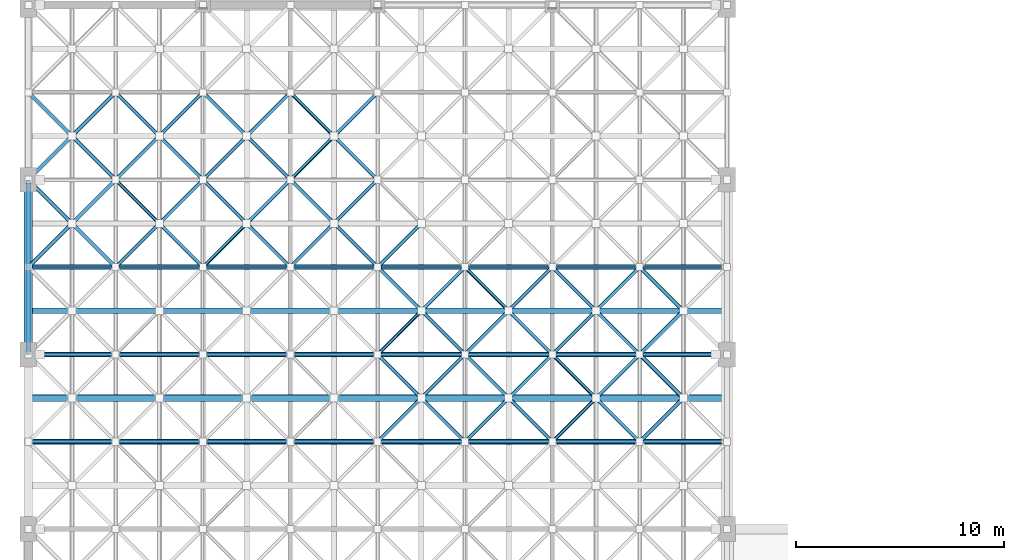
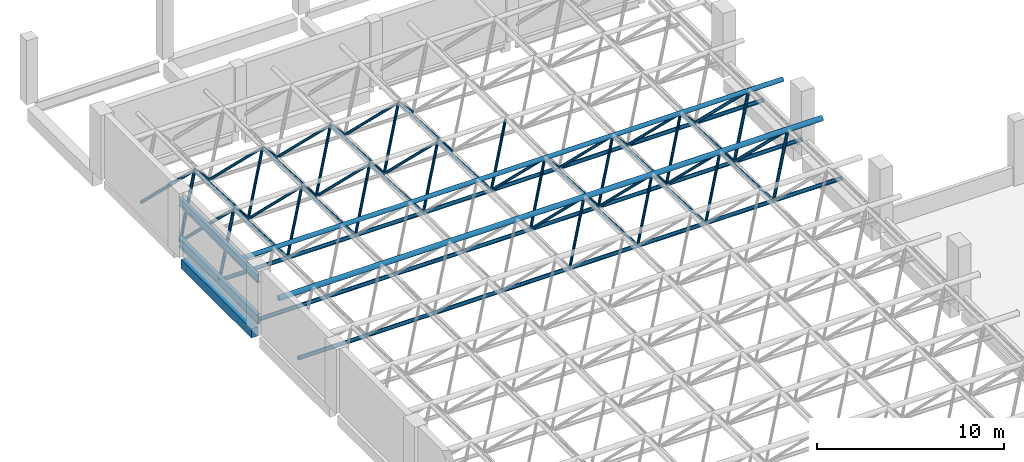
# One storey, part 29 of 64: 66 members, 3 beams.
"""IFC4 building model written with IfcOpenShell, lengths in metres."""

from ifc_helpers import new_model, si_unit, derived_unit, direction, frame, origin, origin_2d, place, context, subcontext, project, spatial, rectangle, hollow_circle, i_section, extrude, material, material_profile, profile_set, type_object, element, save


model = new_model("IFC4")

# Units and contexts
model_context = context("Model", 3, precision=1e-05, world=origin(), true_north=direction((0.0, 1.0)))
body_context = subcontext(model_context, "Body", "Model", "MODEL_VIEW")
ifc_project = project(units=[si_unit("LENGTHUNIT", "METRE"), si_unit("AREAUNIT", "SQUARE_METRE"), si_unit("VOLUMEUNIT", "CUBIC_METRE"), si_unit("PLANEANGLEUNIT", "RADIAN"), si_unit("MASSUNIT", "GRAM", prefix="KILO"), derived_unit("THERMALTRANSMITTANCEUNIT", [(si_unit("POWERUNIT", "WATT"), 1), (si_unit("LENGTHUNIT", "METRE"), -2), (si_unit("THERMODYNAMICTEMPERATUREUNIT", "KELVIN"), -1)])], contexts=[model_context])

# Site, building, storey
site_placement = place(None, origin())
site = spatial("IfcSite", under=ifc_project, at=site_placement, CompositionType="ELEMENT")
building_placement = place(site_placement, origin())
building = spatial("IfcBuilding", under=site, at=building_placement, Name="Barrovel Congress Hotel", CompositionType="ELEMENT")
storey_placement = place(building_placement, frame((0.0, 0.0, 14.10009765625)))
storey = spatial("IfcBuildingStorey", under=building, at=storey_placement, Name="L03", CompositionType="ELEMENT", Elevation=14.10009765625)

# Beam
ifc_material_1 = material(Name="Concrete C40", Category="concrete")
ifc_material_profile_1 = material_profile(ifc_material_1, rectangle(XDim=0.39990234375, YDim=0.60009765625, at=origin_2d()), Name="RC400x600")
ifc_profile_set_1 = profile_set([ifc_material_profile_1], Name="Concrete C40")
beam_type_1 = type_object("IfcBeamType", Name="BM-RC400x600", PredefinedType="BEAM", material=ifc_profile_set_1)
beam_1_placement = place(storey_placement, frame((0.0, 88.64990234375, -0.5400390625), z_axis=(0.0, 1.0, 0.0), x_axis=(-1.0, 0.0, 0.0)))
element("IfcBeam", 1, at=beam_1_placement, inside=storey, type_object=beam_type_1, Name="BMY:L03:0.0:88.2-96.6", PredefinedType="BEAM", context=body_context, shape_type="SweptSolid", body=[
    extrude(rectangle(XDim=0.39990234375, YDim=0.60009765625, at=origin_2d()), origin(), (0.0, 0.0, 1.0), 7.5),
])

# Members
ifc_material_2 = material(Name="Steel ASTM A500 Grade C", Category="steel")
ifc_material_profile_2 = material_profile(ifc_material_2, hollow_circle(Radius=0.084228515625, WallThickness=0.006591796875, at=origin_2d()), Name="CHS168.3x7.1")
ifc_profile_set_2 = profile_set([ifc_material_profile_2], Name="Steel ASTM A500 Grade C")
member_type_1 = type_object("IfcMemberType", Name="MEM-CHS168.3x7.1", PredefinedType="BRACE", material=ifc_profile_set_2)
for number, where, z_axis, x_axis, name in (
    (2, (4.199951171875, 96.60009765625, 0.599853515625), (0.527618240532, 0.527556903839, 0.665809811786), (-0.707065676302, 0.707147883682, 0.0), "Space Frame Roof Truss Diagonal 1-14-1"),
    (3, (8.39990234375, 96.60009765625, 0.599853515625), (-0.527573976661, 0.527573976661, 0.665831358755), (-0.707106781187, -0.707106781187, 0.0), "Space Frame Roof Truss Diagonal 1-14-2"),
):
    element("IfcMember", number, at=place(storey_placement, frame(where, z_axis=z_axis, x_axis=x_axis)), inside=storey, type_object=member_type_1, Name=name, PredefinedType="BRACE", context=body_context, shape_type="SweptSolid", body=[
        extrude(hollow_circle(Radius=0.084228515625, WallThickness=0.006591796875, at=origin_2d()), origin(), (0.0, 0.0, 1.0), 3.980224609375),
    ])
member_1_placement = place(storey_placement, frame((4.199951171875, 100.800048828125, 0.599853515625), z_axis=(0.527601167383, -0.527601167383, 0.665788266908), x_axis=(0.707106781187, 0.707106781187, 0.0)))
element("IfcMember", 4, at=member_1_placement, inside=storey, type_object=member_type_1, Name="Space Frame Roof Truss Diagonal 1-14-3", PredefinedType="BRACE", context=body_context, shape_type="SweptSolid", body=[
    extrude(hollow_circle(Radius=0.084228515625, WallThickness=0.006591796875, at=origin_2d()), origin(), (0.0, 0.0, 1.0), 3.98046875),
])
member_2_placement = place(storey_placement, frame((8.39990234375, 100.800048828125, 0.599853515625), z_axis=(-0.527556903839, -0.527618240532, 0.665809811786), x_axis=(0.707147883682, -0.707065676302, 0.0)))
element("IfcMember", 5, at=member_2_placement, inside=storey, type_object=member_type_1, Name="Space Frame Roof Truss Diagonal 1-14-4", PredefinedType="BRACE", context=body_context, shape_type="SweptSolid", body=[
    extrude(hollow_circle(Radius=0.084228515625, WallThickness=0.006591796875, at=origin_2d()), origin(), (0.0, 0.0, 1.0), 3.980224609375),
])
for number, where, z_axis, x_axis, name in (
    (6, (8.39990234375, 92.39990234375, 0.599853515625), (0.527601167383, 0.527601167383, 0.665788266908), (-0.707106781187, 0.707106781187, 0.0), "Space Frame Roof Truss Diagonal 2-13-1"),
    (7, (12.60009765625, 92.39990234375, 0.599853515625), (-0.527601167383, 0.527601167383, 0.665788266908), (-0.707106781187, -0.707106781187, 0.0), "Space Frame Roof Truss Diagonal 2-13-2"),
    (8, (8.39990234375, 96.60009765625, 0.599853515625), (0.527601167383, -0.527601167383, 0.665788266908), (0.707106781187, 0.707106781187, 0.0), "Space Frame Roof Truss Diagonal 2-13-3"),
    (9, (12.60009765625, 96.60009765625, 0.599853515625), (-0.527601167383, -0.527601167383, 0.665788266908), (0.707106781187, -0.707106781187, 0.0), "Space Frame Roof Truss Diagonal 2-13-4"),
):
    element("IfcMember", number, at=place(storey_placement, frame(where, z_axis=z_axis, x_axis=x_axis)), inside=storey, type_object=member_type_1, Name=name, PredefinedType="BRACE", context=body_context, shape_type="SweptSolid", body=[
        extrude(hollow_circle(Radius=0.084228515625, WallThickness=0.006591796875, at=origin_2d()), origin(), (0.0, 0.0, 1.0), 3.98046875),
    ])
for number, where, z_axis, x_axis, name in (
    (10, (12.60009765625, 96.60009765625, 0.599853515625), (0.527573976661, 0.527573976661, 0.665831358755), (-0.707106781187, 0.707106781187, 0.0), "Space Frame Roof Truss Diagonal 3-14-1"),
    (11, (16.800048828125, 96.60009765625, 0.599853515625), (-0.527618240532, 0.527556903839, 0.665809811786), (-0.707065676302, -0.707147883682, 0.0), "Space Frame Roof Truss Diagonal 3-14-2"),
    (12, (12.60009765625, 100.800048828125, 0.599853515625), (0.527556903839, -0.527618240532, 0.665809811786), (0.707147883682, 0.707065676302, 0.0), "Space Frame Roof Truss Diagonal 3-14-3"),
):
    element("IfcMember", number, at=place(storey_placement, frame(where, z_axis=z_axis, x_axis=x_axis)), inside=storey, type_object=member_type_1, Name=name, PredefinedType="BRACE", context=body_context, shape_type="SweptSolid", body=[
        extrude(hollow_circle(Radius=0.084228515625, WallThickness=0.006591796875, at=origin_2d()), origin(), (0.0, 0.0, 1.0), 3.980224609375),
    ])
member_3_placement = place(storey_placement, frame((16.800048828125, 100.800048828125, 0.599853515625), z_axis=(-0.527601167383, -0.527601167383, 0.665788266908), x_axis=(0.707106781187, -0.707106781187, 0.0)))
element("IfcMember", 13, at=member_3_placement, inside=storey, type_object=member_type_1, Name="Space Frame Roof Truss Diagonal 3-14-4", PredefinedType="BRACE", context=body_context, shape_type="SweptSolid", body=[
    extrude(hollow_circle(Radius=0.084228515625, WallThickness=0.006591796875, at=origin_2d()), origin(), (0.0, 0.0, 1.0), 3.98046875),
])
member_4_placement = place(storey_placement, frame((16.800048828125, 84.0, 0.599853515625), z_axis=(0.527556903839, 0.527618240532, 0.665809811786), x_axis=(-0.707147883682, 0.707065676302, 0.0)))
element("IfcMember", 14, at=member_4_placement, inside=storey, type_object=member_type_1, Name="Space Frame Roof Truss Diagonal 4-11-1", PredefinedType="BRACE", context=body_context, shape_type="SweptSolid", body=[
    extrude(hollow_circle(Radius=0.084228515625, WallThickness=0.006591796875, at=origin_2d()), origin(), (0.0, 0.0, 1.0), 3.980224609375),
])
member_5_placement = place(storey_placement, frame((21.0, 84.0, 0.599853515625), z_axis=(-0.527601167383, 0.527601167383, 0.665788266908), x_axis=(-0.707106781187, -0.707106781187, 0.0)))
element("IfcMember", 15, at=member_5_placement, inside=storey, type_object=member_type_1, Name="Space Frame Roof Truss Diagonal 4-11-2", PredefinedType="BRACE", context=body_context, shape_type="SweptSolid", body=[
    extrude(hollow_circle(Radius=0.084228515625, WallThickness=0.006591796875, at=origin_2d()), origin(), (0.0, 0.0, 1.0), 3.98046875),
])
for number, where, z_axis, x_axis, name in (
    (16, (16.800048828125, 88.199951171875, 0.599853515625), (0.527573976661, -0.527573976661, 0.665831358755), (0.707106781187, 0.707106781187, 0.0), "Space Frame Roof Truss Diagonal 4-11-3"),
    (17, (21.0, 88.199951171875, 0.599853515625), (-0.527618240532, -0.527556903839, 0.665809811786), (0.707065676302, -0.707147883682, 0.0), "Space Frame Roof Truss Diagonal 4-11-4"),
    (18, (16.800048828125, 92.39990234375, 0.599853515625), (0.527556903839, 0.527618240532, 0.665809811786), (-0.707147883682, 0.707065676302, 0.0), "Space Frame Roof Truss Diagonal 4-13-1"),
):
    element("IfcMember", number, at=place(storey_placement, frame(where, z_axis=z_axis, x_axis=x_axis)), inside=storey, type_object=member_type_1, Name=name, PredefinedType="BRACE", context=body_context, shape_type="SweptSolid", body=[
        extrude(hollow_circle(Radius=0.084228515625, WallThickness=0.006591796875, at=origin_2d()), origin(), (0.0, 0.0, 1.0), 3.980224609375),
    ])
member_6_placement = place(storey_placement, frame((21.0, 88.199951171875, 0.599853515625), z_axis=(0.527601167383, 0.527601167383, 0.665788266908), x_axis=(-0.707106781187, 0.707106781187, 0.0)))
element("IfcMember", 19, at=member_6_placement, inside=storey, type_object=member_type_1, Name="Space Frame Roof Truss Diagonal 5-12-1", PredefinedType="BRACE", context=body_context, shape_type="SweptSolid", body=[
    extrude(hollow_circle(Radius=0.084228515625, WallThickness=0.006591796875, at=origin_2d()), origin(), (0.0, 0.0, 1.0), 3.98046875),
])
for number, where, z_axis, x_axis, name in (
    (20, (25.199951171875, 88.199951171875, 0.599853515625), (-0.527556903839, 0.527618240532, 0.665809811786), (-0.707147883682, -0.707065676302, 0.0), "Space Frame Roof Truss Diagonal 5-12-2"),
    (21, (21.0, 92.39990234375, 0.599853515625), (0.527618240532, -0.527556903839, 0.665809811786), (0.707065676302, 0.707147883682, 0.0), "Space Frame Roof Truss Diagonal 5-12-3"),
    (22, (25.199951171875, 92.39990234375, 0.599853515625), (-0.527573976661, -0.527573976661, 0.665831358755), (0.707106781187, -0.707106781187, 0.0), "Space Frame Roof Truss Diagonal 5-12-4"),
):
    element("IfcMember", number, at=place(storey_placement, frame(where, z_axis=z_axis, x_axis=x_axis)), inside=storey, type_object=member_type_1, Name=name, PredefinedType="BRACE", context=body_context, shape_type="SweptSolid", body=[
        extrude(hollow_circle(Radius=0.084228515625, WallThickness=0.006591796875, at=origin_2d()), origin(), (0.0, 0.0, 1.0), 3.980224609375),
    ])
member_7_placement = place(storey_placement, frame((25.199951171875, 84.0, 0.599853515625), z_axis=(0.527601167383, 0.527601167383, 0.665788266908), x_axis=(-0.707106781187, 0.707106781187, 0.0)))
element("IfcMember", 23, at=member_7_placement, inside=storey, type_object=member_type_1, Name="Space Frame Roof Truss Diagonal 6-11-1", PredefinedType="BRACE", context=body_context, shape_type="SweptSolid", body=[
    extrude(hollow_circle(Radius=0.084228515625, WallThickness=0.006591796875, at=origin_2d()), origin(), (0.0, 0.0, 1.0), 3.98046875),
])
for number, where, z_axis, x_axis, name in (
    (24, (29.39990234375, 84.0, 0.599853515625), (-0.527556903839, 0.527618240532, 0.665809811786), (-0.707147883682, -0.707065676302, 0.0), "Space Frame Roof Truss Diagonal 6-11-2"),
    (25, (25.199951171875, 88.199951171875, 0.599853515625), (0.527618240532, -0.527556903839, 0.665809811786), (0.707065676302, 0.707147883682, 0.0), "Space Frame Roof Truss Diagonal 6-11-3"),
    (26, (29.39990234375, 88.199951171875, 0.599853515625), (-0.527573976661, -0.527573976661, 0.665831358755), (0.707106781187, -0.707106781187, 0.0), "Space Frame Roof Truss Diagonal 6-11-4"),
):
    element("IfcMember", number, at=place(storey_placement, frame(where, z_axis=z_axis, x_axis=x_axis)), inside=storey, type_object=member_type_1, Name=name, PredefinedType="BRACE", context=body_context, shape_type="SweptSolid", body=[
        extrude(hollow_circle(Radius=0.084228515625, WallThickness=0.006591796875, at=origin_2d()), origin(), (0.0, 0.0, 1.0), 3.980224609375),
    ])
ifc_material_profile_3 = material_profile(ifc_material_2, hollow_circle(Radius=0.084228515625, WallThickness=0.0087890625, at=origin_2d()), Name="CHS168.3x9.5")
ifc_profile_set_3 = profile_set([ifc_material_profile_3], Name="Steel ASTM A500 Grade C")
member_type_2 = type_object("IfcMemberType", Name="MEM-CHS168.3x9.5", PredefinedType="BRACE", material=ifc_profile_set_3)
member_8_placement = place(storey_placement, frame((4.199951171875, 92.39990234375, 0.599853515625), z_axis=(0.527601167383, 0.527601167383, 0.665788266908), x_axis=(-0.707106781187, 0.707106781187, 0.0)))
element("IfcMember", 27, at=member_8_placement, inside=storey, type_object=member_type_2, Name="Space Frame Roof Truss Diagonal 1-13-1", PredefinedType="BRACE", context=body_context, shape_type="SweptSolid", body=[
    extrude(hollow_circle(Radius=0.084228515625, WallThickness=0.0087890625, at=origin_2d()), origin(), (0.0, 0.0, 1.0), 3.98046875),
])
member_9_placement = place(storey_placement, frame((8.39990234375, 92.39990234375, 0.599853515625), z_axis=(-0.527556903839, 0.527618240532, 0.665809811786), x_axis=(-0.707147883682, -0.707065676302, 0.0)))
element("IfcMember", 28, at=member_9_placement, inside=storey, type_object=member_type_2, Name="Space Frame Roof Truss Diagonal 1-13-2", PredefinedType="BRACE", context=body_context, shape_type="SweptSolid", body=[
    extrude(hollow_circle(Radius=0.084228515625, WallThickness=0.0087890625, at=origin_2d()), origin(), (0.0, 0.0, 1.0), 3.980224609375),
])
member_10_placement = place(storey_placement, frame((4.199951171875, 96.60009765625, 0.599853515625), z_axis=(0.527601167383, -0.527601167383, 0.665788266908), x_axis=(0.707106781187, 0.707106781187, 0.0)))
element("IfcMember", 29, at=member_10_placement, inside=storey, type_object=member_type_2, Name="Space Frame Roof Truss Diagonal 1-13-3", PredefinedType="BRACE", context=body_context, shape_type="SweptSolid", body=[
    extrude(hollow_circle(Radius=0.084228515625, WallThickness=0.0087890625, at=origin_2d()), origin(), (0.0, 0.0, 1.0), 3.98046875),
])
for number, where, z_axis, x_axis, name in (
    (30, (8.39990234375, 96.60009765625, 0.599853515625), (-0.527556903839, -0.527618240532, 0.665809811786), (0.707147883682, -0.707065676302, 0.0), "Space Frame Roof Truss Diagonal 1-13-4"),
    (31, (8.39990234375, 96.60009765625, 0.599853515625), (0.527618240532, 0.527556903839, 0.665809811786), (-0.707065676302, 0.707147883682, 0.0), "Space Frame Roof Truss Diagonal 2-14-1"),
    (32, (12.60009765625, 96.60009765625, 0.599853515625), (-0.527618240532, 0.527556903839, 0.665809811786), (-0.707065676302, -0.707147883682, 0.0), "Space Frame Roof Truss Diagonal 2-14-2"),
):
    element("IfcMember", number, at=place(storey_placement, frame(where, z_axis=z_axis, x_axis=x_axis)), inside=storey, type_object=member_type_2, Name=name, PredefinedType="BRACE", context=body_context, shape_type="SweptSolid", body=[
        extrude(hollow_circle(Radius=0.084228515625, WallThickness=0.0087890625, at=origin_2d()), origin(), (0.0, 0.0, 1.0), 3.980224609375),
    ])
for number, where, z_axis, x_axis, name in (
    (33, (8.39990234375, 100.800048828125, 0.599853515625), (0.527601167383, -0.527601167383, 0.665788266908), (0.707106781187, 0.707106781187, 0.0), "Space Frame Roof Truss Diagonal 2-14-3"),
    (34, (12.60009765625, 100.800048828125, 0.599853515625), (-0.527601167383, -0.527601167383, 0.665788266908), (0.707106781187, -0.707106781187, 0.0), "Space Frame Roof Truss Diagonal 2-14-4"),
):
    element("IfcMember", number, at=place(storey_placement, frame(where, z_axis=z_axis, x_axis=x_axis)), inside=storey, type_object=member_type_2, Name=name, PredefinedType="BRACE", context=body_context, shape_type="SweptSolid", body=[
        extrude(hollow_circle(Radius=0.084228515625, WallThickness=0.0087890625, at=origin_2d()), origin(), (0.0, 0.0, 1.0), 3.98046875),
    ])
member_11_placement = place(storey_placement, frame((12.60009765625, 92.39990234375, 0.599853515625), z_axis=(0.527556903839, 0.527618240532, 0.665809811786), x_axis=(-0.707147883682, 0.707065676302, 0.0)))
element("IfcMember", 35, at=member_11_placement, inside=storey, type_object=member_type_2, Name="Space Frame Roof Truss Diagonal 3-13-1", PredefinedType="BRACE", context=body_context, shape_type="SweptSolid", body=[
    extrude(hollow_circle(Radius=0.084228515625, WallThickness=0.0087890625, at=origin_2d()), origin(), (0.0, 0.0, 1.0), 3.980224609375),
])
member_12_placement = place(storey_placement, frame((16.800048828125, 92.39990234375, 0.599853515625), z_axis=(-0.527601167383, 0.527601167383, 0.665788266908), x_axis=(-0.707106781187, -0.707106781187, 0.0)))
element("IfcMember", 36, at=member_12_placement, inside=storey, type_object=member_type_2, Name="Space Frame Roof Truss Diagonal 3-13-2", PredefinedType="BRACE", context=body_context, shape_type="SweptSolid", body=[
    extrude(hollow_circle(Radius=0.084228515625, WallThickness=0.0087890625, at=origin_2d()), origin(), (0.0, 0.0, 1.0), 3.98046875),
])
member_13_placement = place(storey_placement, frame((12.60009765625, 96.60009765625, 0.599853515625), z_axis=(0.527556903839, -0.527618240532, 0.665809811786), x_axis=(0.707147883682, 0.707065676302, 0.0)))
element("IfcMember", 37, at=member_13_placement, inside=storey, type_object=member_type_2, Name="Space Frame Roof Truss Diagonal 3-13-3", PredefinedType="BRACE", context=body_context, shape_type="SweptSolid", body=[
    extrude(hollow_circle(Radius=0.084228515625, WallThickness=0.0087890625, at=origin_2d()), origin(), (0.0, 0.0, 1.0), 3.980224609375),
])
member_14_placement = place(storey_placement, frame((16.800048828125, 96.60009765625, 0.599853515625), z_axis=(-0.527601167383, -0.527601167383, 0.665788266908), x_axis=(0.707106781187, -0.707106781187, 0.0)))
element("IfcMember", 38, at=member_14_placement, inside=storey, type_object=member_type_2, Name="Space Frame Roof Truss Diagonal 3-13-4", PredefinedType="BRACE", context=body_context, shape_type="SweptSolid", body=[
    extrude(hollow_circle(Radius=0.084228515625, WallThickness=0.0087890625, at=origin_2d()), origin(), (0.0, 0.0, 1.0), 3.98046875),
])
member_15_placement = place(storey_placement, frame((16.800048828125, 88.199951171875, 0.599853515625), z_axis=(0.527556903839, 0.527618240532, 0.665809811786), x_axis=(-0.707147883682, 0.707065676302, 0.0)))
element("IfcMember", 39, at=member_15_placement, inside=storey, type_object=member_type_2, Name="Space Frame Roof Truss Diagonal 4-12-1", PredefinedType="BRACE", context=body_context, shape_type="SweptSolid", body=[
    extrude(hollow_circle(Radius=0.084228515625, WallThickness=0.0087890625, at=origin_2d()), origin(), (0.0, 0.0, 1.0), 3.980224609375),
])
member_16_placement = place(storey_placement, frame((21.0, 88.199951171875, 0.599853515625), z_axis=(-0.527601167383, 0.527601167383, 0.665788266908), x_axis=(-0.707106781187, -0.707106781187, 0.0)))
element("IfcMember", 40, at=member_16_placement, inside=storey, type_object=member_type_2, Name="Space Frame Roof Truss Diagonal 4-12-2", PredefinedType="BRACE", context=body_context, shape_type="SweptSolid", body=[
    extrude(hollow_circle(Radius=0.084228515625, WallThickness=0.0087890625, at=origin_2d()), origin(), (0.0, 0.0, 1.0), 3.98046875),
])
for number, where, z_axis, x_axis, name in (
    (41, (16.800048828125, 92.39990234375, 0.599853515625), (0.527573976661, -0.527573976661, 0.665831358755), (0.707106781187, 0.707106781187, 0.0), "Space Frame Roof Truss Diagonal 4-12-3"),
    (42, (21.0, 92.39990234375, 0.599853515625), (-0.527618240532, -0.527556903839, 0.665809811786), (0.707065676302, -0.707147883682, 0.0), "Space Frame Roof Truss Diagonal 4-12-4"),
):
    element("IfcMember", number, at=place(storey_placement, frame(where, z_axis=z_axis, x_axis=x_axis)), inside=storey, type_object=member_type_2, Name=name, PredefinedType="BRACE", context=body_context, shape_type="SweptSolid", body=[
        extrude(hollow_circle(Radius=0.084228515625, WallThickness=0.0087890625, at=origin_2d()), origin(), (0.0, 0.0, 1.0), 3.980224609375),
    ])
member_17_placement = place(storey_placement, frame((21.0, 84.0, 0.599853515625), z_axis=(0.527601167383, 0.527601167383, 0.665788266908), x_axis=(-0.707106781187, 0.707106781187, 0.0)))
element("IfcMember", 43, at=member_17_placement, inside=storey, type_object=member_type_2, Name="Space Frame Roof Truss Diagonal 5-11-1", PredefinedType="BRACE", context=body_context, shape_type="SweptSolid", body=[
    extrude(hollow_circle(Radius=0.084228515625, WallThickness=0.0087890625, at=origin_2d()), origin(), (0.0, 0.0, 1.0), 3.98046875),
])
for number, where, z_axis, x_axis, name in (
    (44, (25.199951171875, 84.0, 0.599853515625), (-0.527556903839, 0.527618240532, 0.665809811786), (-0.707147883682, -0.707065676302, 0.0), "Space Frame Roof Truss Diagonal 5-11-2"),
    (45, (21.0, 88.199951171875, 0.599853515625), (0.527618240532, -0.527556903839, 0.665809811786), (0.707065676302, 0.707147883682, 0.0), "Space Frame Roof Truss Diagonal 5-11-3"),
    (46, (25.199951171875, 88.199951171875, 0.599853515625), (-0.527573976661, -0.527573976661, 0.665831358755), (0.707106781187, -0.707106781187, 0.0), "Space Frame Roof Truss Diagonal 5-11-4"),
):
    element("IfcMember", number, at=place(storey_placement, frame(where, z_axis=z_axis, x_axis=x_axis)), inside=storey, type_object=member_type_2, Name=name, PredefinedType="BRACE", context=body_context, shape_type="SweptSolid", body=[
        extrude(hollow_circle(Radius=0.084228515625, WallThickness=0.0087890625, at=origin_2d()), origin(), (0.0, 0.0, 1.0), 3.980224609375),
    ])
member_18_placement = place(storey_placement, frame((25.199951171875, 88.199951171875, 0.599853515625), z_axis=(0.527601167383, 0.527601167383, 0.665788266908), x_axis=(-0.707106781187, 0.707106781187, 0.0)))
element("IfcMember", 47, at=member_18_placement, inside=storey, type_object=member_type_2, Name="Space Frame Roof Truss Diagonal 6-12-1", PredefinedType="BRACE", context=body_context, shape_type="SweptSolid", body=[
    extrude(hollow_circle(Radius=0.084228515625, WallThickness=0.0087890625, at=origin_2d()), origin(), (0.0, 0.0, 1.0), 3.98046875),
])
for number, where, z_axis, x_axis, name in (
    (48, (29.39990234375, 88.199951171875, 0.599853515625), (-0.527556903839, 0.527618240532, 0.665809811786), (-0.707147883682, -0.707065676302, 0.0), "Space Frame Roof Truss Diagonal 6-12-2"),
    (49, (25.199951171875, 92.39990234375, 0.599853515625), (0.527618240532, -0.527556903839, 0.665809811786), (0.707065676302, 0.707147883682, 0.0), "Space Frame Roof Truss Diagonal 6-12-3"),
    (50, (29.39990234375, 92.39990234375, 0.599853515625), (-0.527573976661, -0.527573976661, 0.665831358755), (0.707106781187, -0.707106781187, 0.0), "Space Frame Roof Truss Diagonal 6-12-4"),
):
    element("IfcMember", number, at=place(storey_placement, frame(where, z_axis=z_axis, x_axis=x_axis)), inside=storey, type_object=member_type_2, Name=name, PredefinedType="BRACE", context=body_context, shape_type="SweptSolid", body=[
        extrude(hollow_circle(Radius=0.084228515625, WallThickness=0.0087890625, at=origin_2d()), origin(), (0.0, 0.0, 1.0), 3.980224609375),
    ])
ifc_material_profile_4 = material_profile(ifc_material_2, hollow_circle(Radius=0.096923828125, WallThickness=0.0087890625, at=origin_2d()), Name="CHS193.7x9.5")
ifc_profile_set_4 = profile_set([ifc_material_profile_4], Name="Steel ASTM A500 Grade C")
member_type_3 = type_object("IfcMemberType", Name="MEM-CHS193.7x9.5", PredefinedType="BRACE", material=ifc_profile_set_4)
member_19_placement = place(storey_placement, frame((0.0, 92.39990234375, 0.599853515625), z_axis=(0.527601167383, 0.527601167383, 0.665788266908), x_axis=(-0.707106781187, 0.707106781187, 0.0)))
element("IfcMember", 51, at=member_19_placement, inside=storey, type_object=member_type_3, Name="Space Frame Roof Truss Diagonal 0-13-1", PredefinedType="BRACE", context=body_context, shape_type="SweptSolid", body=[
    extrude(hollow_circle(Radius=0.096923828125, WallThickness=0.0087890625, at=origin_2d()), origin(), (0.0, 0.0, 1.0), 3.98046875),
])
member_20_placement = place(storey_placement, frame((4.199951171875, 92.39990234375, 0.599853515625), z_axis=(-0.527556903839, 0.527618240532, 0.665809811786), x_axis=(-0.707147883682, -0.707065676302, 0.0)))
element("IfcMember", 52, at=member_20_placement, inside=storey, type_object=member_type_3, Name="Space Frame Roof Truss Diagonal 0-13-2", PredefinedType="BRACE", context=body_context, shape_type="SweptSolid", body=[
    extrude(hollow_circle(Radius=0.096923828125, WallThickness=0.0087890625, at=origin_2d()), origin(), (0.0, 0.0, 1.0), 3.980224609375),
])
member_21_placement = place(storey_placement, frame((0.0, 96.60009765625, 0.599853515625), z_axis=(0.527601167383, -0.527601167383, 0.665788266908), x_axis=(0.707106781187, 0.707106781187, 0.0)))
element("IfcMember", 53, at=member_21_placement, inside=storey, type_object=member_type_3, Name="Space Frame Roof Truss Diagonal 0-13-3", PredefinedType="BRACE", context=body_context, shape_type="SweptSolid", body=[
    extrude(hollow_circle(Radius=0.096923828125, WallThickness=0.0087890625, at=origin_2d()), origin(), (0.0, 0.0, 1.0), 3.98046875),
])
for number, where, z_axis, x_axis, name in (
    (54, (4.199951171875, 96.60009765625, 0.599853515625), (-0.527556903839, -0.527618240532, 0.665809811786), (0.707147883682, -0.707065676302, 0.0), "Space Frame Roof Truss Diagonal 0-13-4"),
    (55, (0.0, 96.60009765625, 0.599853515625), (0.527618240532, 0.527556903839, 0.665809811786), (-0.707065676302, 0.707147883682, 0.0), "Space Frame Roof Truss Diagonal 0-14-1"),
    (56, (4.199951171875, 96.60009765625, 0.599853515625), (-0.527573976661, 0.527573976661, 0.665831358755), (-0.707106781187, -0.707106781187, 0.0), "Space Frame Roof Truss Diagonal 0-14-2"),
):
    element("IfcMember", number, at=place(storey_placement, frame(where, z_axis=z_axis, x_axis=x_axis)), inside=storey, type_object=member_type_3, Name=name, PredefinedType="BRACE", context=body_context, shape_type="SweptSolid", body=[
        extrude(hollow_circle(Radius=0.096923828125, WallThickness=0.0087890625, at=origin_2d()), origin(), (0.0, 0.0, 1.0), 3.980224609375),
    ])
member_22_placement = place(storey_placement, frame((0.0, 100.800048828125, 0.599853515625), z_axis=(0.527601167383, -0.527601167383, 0.665788266908), x_axis=(0.707106781187, 0.707106781187, 0.0)))
element("IfcMember", 57, at=member_22_placement, inside=storey, type_object=member_type_3, Name="Space Frame Roof Truss Diagonal 0-14-3", PredefinedType="BRACE", context=body_context, shape_type="SweptSolid", body=[
    extrude(hollow_circle(Radius=0.096923828125, WallThickness=0.0087890625, at=origin_2d()), origin(), (0.0, 0.0, 1.0), 3.98046875),
])
member_23_placement = place(storey_placement, frame((4.199951171875, 100.800048828125, 0.599853515625), z_axis=(-0.527556903839, -0.527618240532, 0.665809811786), x_axis=(0.707147883682, -0.707065676302, 0.0)))
element("IfcMember", 58, at=member_23_placement, inside=storey, type_object=member_type_3, Name="Space Frame Roof Truss Diagonal 0-14-4", PredefinedType="BRACE", context=body_context, shape_type="SweptSolid", body=[
    extrude(hollow_circle(Radius=0.096923828125, WallThickness=0.0087890625, at=origin_2d()), origin(), (0.0, 0.0, 1.0), 3.980224609375),
])
member_24_placement = place(storey_placement, frame((29.39990234375, 84.0, 0.599853515625), z_axis=(0.527601167383, 0.527601167383, 0.665788266908), x_axis=(-0.707106781187, 0.707106781187, 0.0)))
element("IfcMember", 59, at=member_24_placement, inside=storey, type_object=member_type_3, Name="Space Frame Roof Truss Diagonal 7-11-1", PredefinedType="BRACE", context=body_context, shape_type="SweptSolid", body=[
    extrude(hollow_circle(Radius=0.096923828125, WallThickness=0.0087890625, at=origin_2d()), origin(), (0.0, 0.0, 1.0), 3.98046875),
])
member_25_placement = place(storey_placement, frame((29.39990234375, 88.199951171875, 0.599853515625), z_axis=(0.527618240532, -0.527556903839, 0.665809811786), x_axis=(0.707065676302, 0.707147883682, 0.0)))
element("IfcMember", 60, at=member_25_placement, inside=storey, type_object=member_type_3, Name="Space Frame Roof Truss Diagonal 7-11-3", PredefinedType="BRACE", context=body_context, shape_type="SweptSolid", body=[
    extrude(hollow_circle(Radius=0.096923828125, WallThickness=0.0087890625, at=origin_2d()), origin(), (0.0, 0.0, 1.0), 3.980224609375),
])
member_26_placement = place(storey_placement, frame((29.39990234375, 88.199951171875, 0.599853515625), z_axis=(0.527601167383, 0.527601167383, 0.665788266908), x_axis=(-0.707106781187, 0.707106781187, 0.0)))
element("IfcMember", 61, at=member_26_placement, inside=storey, type_object=member_type_3, Name="Space Frame Roof Truss Diagonal 7-12-1", PredefinedType="BRACE", context=body_context, shape_type="SweptSolid", body=[
    extrude(hollow_circle(Radius=0.096923828125, WallThickness=0.0087890625, at=origin_2d()), origin(), (0.0, 0.0, 1.0), 3.98046875),
])
member_27_placement = place(storey_placement, frame((29.39990234375, 92.39990234375, 0.599853515625), z_axis=(0.527618240532, -0.527556903839, 0.665809811786), x_axis=(0.707065676302, 0.707147883682, 0.0)))
element("IfcMember", 62, at=member_27_placement, inside=storey, type_object=member_type_3, Name="Space Frame Roof Truss Diagonal 7-12-3", PredefinedType="BRACE", context=body_context, shape_type="SweptSolid", body=[
    extrude(hollow_circle(Radius=0.096923828125, WallThickness=0.0087890625, at=origin_2d()), origin(), (0.0, 0.0, 1.0), 3.980224609375),
])
ifc_material_profile_5 = material_profile(ifc_material_2, hollow_circle(Radius=0.122314453125, WallThickness=0.01171875, at=origin_2d()), Name="CHS244.5x12.7")
ifc_profile_set_5 = profile_set([ifc_material_profile_5], Name="Steel ASTM A500 Grade C")
member_type_4 = type_object("IfcMemberType", Name="MEM-CHS244.5x12.7", PredefinedType="CHORD", material=ifc_profile_set_5)
for number, where, z_axis, x_axis, name in (
    (63, (0.0, 84.0, 0.599853515625), (1.0, 0.0, 0.0), (0.0, 1.0, 0.0), "Space Frame Roof Truss Bottom Chord X 11"),
    (64, (0.0, 88.199951171875, 0.599853515625), (1.0, 0.0, 0.0), (0.0, 1.0, 0.0), "Space Frame Roof Truss Bottom Chord X 12"),
    (65, (0.0, 92.39990234375, 0.599853515625), (1.0, 0.0, 0.0), (0.0, 1.0, 0.0), "Space Frame Roof Truss Bottom Chord X 13"),
):
    element("IfcMember", number, at=place(storey_placement, frame(where, z_axis=z_axis, x_axis=x_axis)), inside=storey, type_object=member_type_4, Name=name, PredefinedType="CHORD", context=body_context, shape_type="SweptSolid", body=[
        extrude(hollow_circle(Radius=0.122314453125, WallThickness=0.01171875, at=origin_2d()), origin(), (0.0, 0.0, 1.0), 33.60009765625),
    ])
ifc_material_profile_6 = material_profile(ifc_material_2, hollow_circle(Radius=0.136474609375, WallThickness=0.01171875, at=origin_2d()), Name="CHS273.1x12.7")
ifc_profile_set_6 = profile_set([ifc_material_profile_6], Name="Steel ASTM A500 Grade C")
member_type_5 = type_object("IfcMemberType", Name="MEM-CHS273.1x12.7", PredefinedType="CHORD", material=ifc_profile_set_6)
member_28_placement = place(storey_placement, frame((0.0, 90.300048828125, 3.25), z_axis=(1.0, 0.0, 0.0), x_axis=(0.0, 1.0, 0.0)))
element("IfcMember", 66, at=member_28_placement, inside=storey, type_object=member_type_5, Name="Space Frame Roof Truss Top Chord X 12", PredefinedType="CHORD", context=body_context, shape_type="SweptSolid", body=[
    extrude(hollow_circle(Radius=0.136474609375, WallThickness=0.01171875, at=origin_2d()), origin(), (0.0, 0.0, 1.0), 33.60009765625),
])
ifc_material_profile_7 = material_profile(ifc_material_2, hollow_circle(Radius=0.161865234375, WallThickness=0.01171875, at=origin_2d()), Name="CHS323.9x12.7")
ifc_profile_set_7 = profile_set([ifc_material_profile_7], Name="Steel ASTM A500 Grade C")
member_type_6 = type_object("IfcMemberType", Name="MEM-CHS323.9x12.7", PredefinedType="CHORD", material=ifc_profile_set_7)
member_29_placement = place(storey_placement, frame((0.0, 86.10009765625, 3.25), z_axis=(1.0, 0.0, 0.0), x_axis=(0.0, 1.0, 0.0)))
element("IfcMember", 67, at=member_29_placement, inside=storey, type_object=member_type_6, Name="Space Frame Roof Truss Top Chord X 11", PredefinedType="CHORD", context=body_context, shape_type="SweptSolid", body=[
    extrude(hollow_circle(Radius=0.161865234375, WallThickness=0.01171875, at=origin_2d()), origin(), (0.0, 0.0, 1.0), 33.60009765625),
])

# Beams
ifc_material_3 = material(Name="Steel ASTM A992 Grade 50", Category="steel")
ifc_material_profile_8 = material_profile(ifc_material_3, i_section(OverallWidth=0.208984375, OverallDepth=0.532958984375, WebThickness=0.01025390625, FlangeThickness=0.015625, FilletRadius=0.013916015625, at=origin_2d()), Name="W530x92")
ifc_profile_set_8 = profile_set([ifc_material_profile_8], Name="Steel ASTM A992 Grade 50")
beam_type_2 = type_object("IfcBeamType", Name="SBM-W530x92", PredefinedType="BEAM", material=ifc_profile_set_8)
beam_2_placement = place(storey_placement, frame((0.0, 88.199951171875, 3.25), z_axis=(0.0, 1.0, 0.0), x_axis=(-1.0, 0.0, 0.0)))
element("IfcBeam", 68, at=beam_2_placement, inside=storey, type_object=beam_type_2, Name="Congress Roof Truss Upper Collector 0-7", PredefinedType="BEAM", context=body_context, shape_type="SweptSolid", body=[
    extrude(i_section(OverallWidth=0.208984375, OverallDepth=0.532958984375, WebThickness=0.01025390625, FlangeThickness=0.015625, FilletRadius=0.013916015625, at=origin_2d()), origin(), (0.0, 0.0, 1.0), 8.400146484375),
])
ifc_material_profile_9 = material_profile(ifc_material_3, i_section(OverallWidth=0.22900390625, OverallDepth=0.612060546875, WebThickness=0.011962890625, FlangeThickness=0.01953125, FilletRadius=0.014892578125, at=origin_2d()), Name="W610x125")
ifc_profile_set_9 = profile_set([ifc_material_profile_9], Name="Steel ASTM A992 Grade 50")
beam_type_3 = type_object("IfcBeamType", Name="SBM-W610x125", PredefinedType="BEAM", material=ifc_profile_set_9)
beam_3_placement = place(storey_placement, frame((0.0, 88.199951171875, 0.599853515625), z_axis=(0.0, 1.0, 0.0), x_axis=(-1.0, 0.0, 0.0)))
element("IfcBeam", 69, at=beam_3_placement, inside=storey, type_object=beam_type_3, Name="Congress Roof Truss Collector Beam 0-7", PredefinedType="BEAM", context=body_context, shape_type="SweptSolid", body=[
    extrude(i_section(OverallWidth=0.22900390625, OverallDepth=0.612060546875, WebThickness=0.011962890625, FlangeThickness=0.01953125, FilletRadius=0.014892578125, at=origin_2d()), origin(), (0.0, 0.0, 1.0), 8.400146484375),
])

save(model, "model.ifc")
